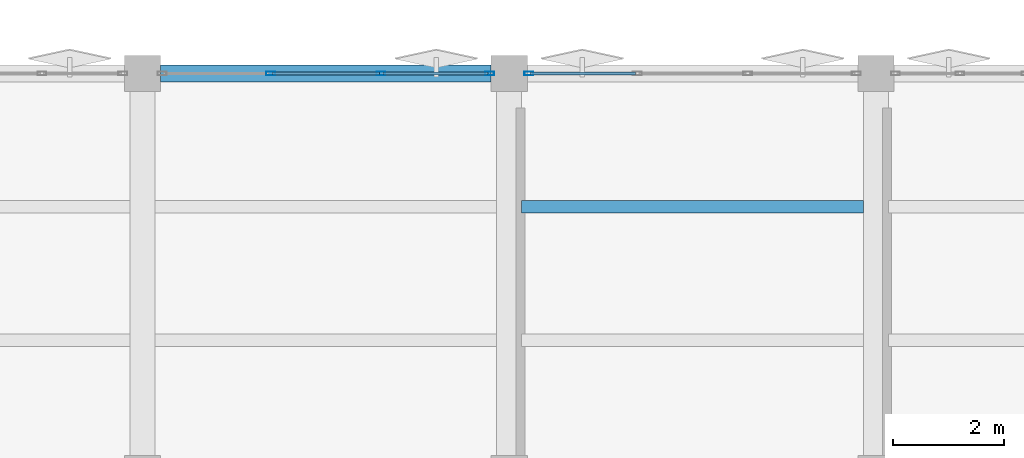
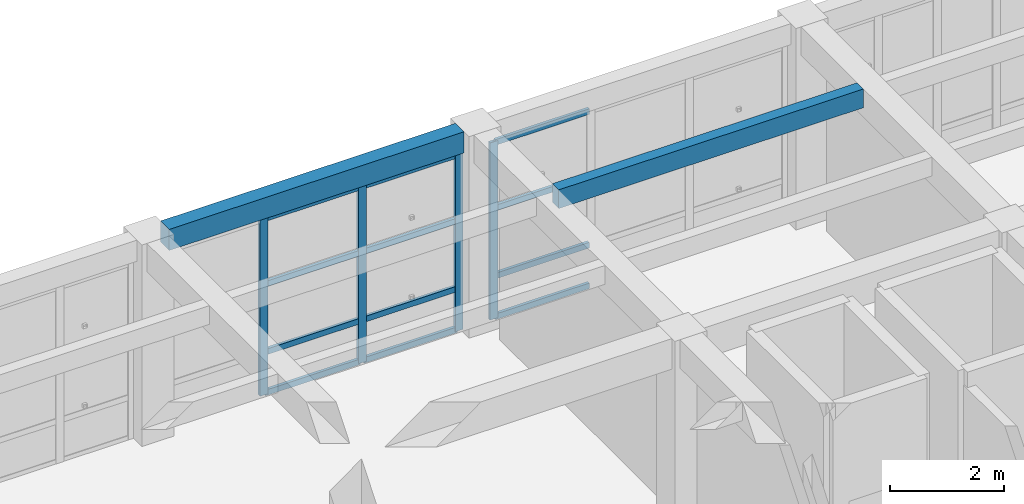
# One storey, part 15 of 39: 16 members, 2 beams, 2 elements without a shape of their own.
"""IFC4 building model written with IfcOpenShell, lengths in metres."""

from ifc_helpers import new_model, si_unit, direction, frame, origin, origin_2d, place, context, subcontext, project, spatial, rectangle, hollow_rectangle, extrude, material, layer, layer_set, material_profile, profile_set, type_object, element, aggregate, save


model = new_model("IFC4")

# Units and contexts
model_context = context("Model", 3, precision=1e-05, world=origin(), true_north=direction((0.0, 1.0)))
body_context = subcontext(model_context, "Body", "Model", "MODEL_VIEW")
ifc_project = project(units=[si_unit("LENGTHUNIT", "METRE"), si_unit("AREAUNIT", "SQUARE_METRE"), si_unit("VOLUMEUNIT", "CUBIC_METRE"), si_unit("PLANEANGLEUNIT", "RADIAN"), si_unit("MASSUNIT", "GRAM", prefix="KILO")], contexts=[model_context])

# Site, building, storey
site_placement = place(None, origin())
site = spatial("IfcSite", under=ifc_project, at=site_placement, CompositionType="ELEMENT")
building_placement = place(site_placement, origin())
building = spatial("IfcBuilding", under=site, at=building_placement, Name="Kharisveld Research Institute", CompositionType="ELEMENT")
storey_placement = place(building_placement, frame((0.0, 0.0, 18.60009765625)))
storey = spatial("IfcBuildingStorey", under=building, at=storey_placement, Name="L04", CompositionType="ELEMENT", Elevation=18.60009765625)

# Curtain wall, members
ifc_material_1 = material(Name="Thermally Broken Aluminium Curtain Wall", Category="aluminium")
ifc_layer_1 = layer(ifc_material_1, 0.159912109375)
ifc_layer_set_1 = layer_set([ifc_layer_1], Name="CW_SYS_05")
curtain_wall_type_1 = type_object("IfcCurtainWallType", Name="CW_SYS_05", PredefinedType="NOTDEFINED", material=ifc_layer_set_1)
curtain_wall_1_placement = place(storey_placement, origin())
curtain_wall_1 = element("IfcCurtainWall", 1, at=curtain_wall_1_placement, inside=storey, type_object=curtain_wall_type_1, Name="CW:V2:L04:N2", PredefinedType="NOTDEFINED")
ifc_material_2 = material(Name="Anodised Aluminium AW-6063-T6", Category="aluminium")
ifc_material_profile_1 = material_profile(ifc_material_2, hollow_rectangle(XDim=0.06494140625, YDim=0.159912109375, WallThickness=0.00390625, at=origin_2d()))
ifc_profile_set_1 = profile_set([ifc_material_profile_1], Name="Anodised Aluminium AW-6063-T6")
member_type_1 = type_object("IfcMemberType", Name="CW_MUL_160", PredefinedType="MULLION", material=ifc_profile_set_1)
member_1_placement = place(storey_placement, frame((130.106689453125, 60.800048828125, 0.0), z_axis=(0.0, 0.0, 1.0), x_axis=(0.0, 1.0, 0.0)))
member_1 = element("IfcMember", 2, at=member_1_placement, type_object=member_type_1, Name="CW-05 mullion 2", PredefinedType="MULLION", context=body_context, shape_type="SweptSolid", body=[
    extrude(hollow_rectangle(XDim=0.06494140625, YDim=0.159912109375, WallThickness=0.00390625, at=origin_2d()), origin(), (0.0, 0.0, 1.0), 3.77978515625),
])
member_2_placement = place(storey_placement, frame((132.09326171875, 60.800048828125, 0.0), z_axis=(0.0, 0.0, 1.0), x_axis=(0.0, 1.0, 0.0)))
member_2 = element("IfcMember", 3, at=member_2_placement, type_object=member_type_1, Name="CW-05 mullion 3", PredefinedType="MULLION", context=body_context, shape_type="SweptSolid", body=[
    extrude(hollow_rectangle(XDim=0.06494140625, YDim=0.159912109375, WallThickness=0.00390625, at=origin_2d()), origin(), (0.0, 0.0, 1.0), 3.77978515625),
])
member_3_placement = place(storey_placement, frame((134.047607421875, 60.800048828125, 0.0), z_axis=(0.0, 0.0, 1.0), x_axis=(0.0, 1.0, 0.0)))
member_3 = element("IfcMember", 4, at=member_3_placement, type_object=member_type_1, Name="CW-05 mullion 4", PredefinedType="MULLION", context=body_context, shape_type="SweptSolid", body=[
    extrude(hollow_rectangle(XDim=0.06494140625, YDim=0.159912109375, WallThickness=0.00390625, at=origin_2d()), origin(), (0.0, 0.0, 1.0), 3.77978515625),
])

# Curtain wall, member
ifc_material_3 = material(Name="Thermally Broken Aluminium Curtain Wall", Category="aluminium")
ifc_layer_2 = layer(ifc_material_3, 0.159912109375)
ifc_layer_set_2 = layer_set([ifc_layer_2], Name="CW_SYS_06")
curtain_wall_type_2 = type_object("IfcCurtainWallType", Name="CW_SYS_06", PredefinedType="NOTDEFINED", material=ifc_layer_set_2)
curtain_wall_2_placement = place(storey_placement, origin())
curtain_wall_2 = element("IfcCurtainWall", 5, at=curtain_wall_2_placement, inside=storey, type_object=curtain_wall_type_2, Name="CW:V2:L04:N3", PredefinedType="NOTDEFINED")
member_4_placement = place(storey_placement, frame((134.75244140625, 60.800048828125, 0.0), z_axis=(0.0, 0.0, 1.0), x_axis=(0.0, 1.0, 0.0)))
member_4 = element("IfcMember", 6, at=member_4_placement, type_object=member_type_1, Name="CW-06 mullion 1", PredefinedType="MULLION", context=body_context, shape_type="SweptSolid", body=[
    extrude(hollow_rectangle(XDim=0.06494140625, YDim=0.159912109375, WallThickness=0.00390625, at=origin_2d()), origin(), (0.0, 0.0, 1.0), 3.77978515625),
])

# Member
ifc_material_4 = material(Name="Anodised Aluminium AW-6063-T6", Category="aluminium")
ifc_material_profile_2 = material_profile(ifc_material_4, hollow_rectangle(XDim=0.06005859375, YDim=0.1201171875, WallThickness=0.00390625, at=origin_2d()))
ifc_profile_set_2 = profile_set([ifc_material_profile_2], Name="Anodised Aluminium AW-6063-T6")
member_type_2 = type_object("IfcMemberType", Name="CW_TRN_120", PredefinedType="USERDEFINED", material=ifc_profile_set_2)
member_5_placement = place(storey_placement, frame((130.13916015625, 60.800048828125, 0.02978515625), z_axis=(1.0, 0.0, 0.0), x_axis=(0.0, 1.0, 0.0)))
member_5 = element("IfcMember", 7, at=member_5_placement, type_object=member_type_2, Name="CW-05 transom 2.1", ObjectType="TRANSOM", PredefinedType="USERDEFINED", context=body_context, shape_type="SweptSolid", body=[
    extrude(hollow_rectangle(XDim=0.06005859375, YDim=0.1201171875, WallThickness=0.00390625, at=origin_2d()), origin(), (0.0, 0.0, 1.0), 1.921630859375),
])

member_6_placement = place(storey_placement, frame((130.13916015625, 60.800048828125, 0.89990234375), z_axis=(1.0, 0.0, 0.0), x_axis=(0.0, 1.0, 0.0)))
member_6 = element("IfcMember", 8, at=member_6_placement, type_object=member_type_2, Name="CW-05 transom 2.2", ObjectType="TRANSOM", PredefinedType="USERDEFINED", context=body_context, shape_type="SweptSolid", body=[
    extrude(hollow_rectangle(XDim=0.06005859375, YDim=0.1201171875, WallThickness=0.00390625, at=origin_2d()), origin(), (0.0, 0.0, 1.0), 1.921630859375),
])

member_7_placement = place(storey_placement, frame((130.13916015625, 60.800048828125, 2.349853515625), z_axis=(1.0, 0.0, 0.0), x_axis=(0.0, 1.0, 0.0)))
member_7 = element("IfcMember", 9, at=member_7_placement, type_object=member_type_2, Name="CW-05 transom 2.3", ObjectType="TRANSOM", PredefinedType="USERDEFINED", context=body_context, shape_type="SweptSolid", body=[
    extrude(hollow_rectangle(XDim=0.06005859375, YDim=0.1201171875, WallThickness=0.00390625, at=origin_2d()), origin(), (0.0, 0.0, 1.0), 1.921630859375),
])

member_8_placement = place(storey_placement, frame((130.13916015625, 60.800048828125, 3.75), z_axis=(1.0, 0.0, 0.0), x_axis=(0.0, 1.0, 0.0)))
member_8 = element("IfcMember", 10, at=member_8_placement, type_object=member_type_2, Name="CW-05 transom 2.4", ObjectType="TRANSOM", PredefinedType="USERDEFINED", context=body_context, shape_type="SweptSolid", body=[
    extrude(hollow_rectangle(XDim=0.06005859375, YDim=0.1201171875, WallThickness=0.00390625, at=origin_2d()), origin(), (0.0, 0.0, 1.0), 1.921630859375),
])

member_9_placement = place(storey_placement, frame((132.125732421875, 60.800048828125, 0.02978515625), z_axis=(1.0, 0.0, 0.0), x_axis=(0.0, 1.0, 0.0)))
member_9 = element("IfcMember", 11, at=member_9_placement, type_object=member_type_2, Name="CW-05 transom 3.1", ObjectType="TRANSOM", PredefinedType="USERDEFINED", context=body_context, shape_type="SweptSolid", body=[
    extrude(hollow_rectangle(XDim=0.06005859375, YDim=0.1201171875, WallThickness=0.00390625, at=origin_2d()), origin(), (0.0, 0.0, 1.0), 1.88916015625),
])

member_10_placement = place(storey_placement, frame((132.125732421875, 60.800048828125, 0.89990234375), z_axis=(1.0, 0.0, 0.0), x_axis=(0.0, 1.0, 0.0)))
member_10 = element("IfcMember", 12, at=member_10_placement, type_object=member_type_2, Name="CW-05 transom 3.2", ObjectType="TRANSOM", PredefinedType="USERDEFINED", context=body_context, shape_type="SweptSolid", body=[
    extrude(hollow_rectangle(XDim=0.06005859375, YDim=0.1201171875, WallThickness=0.00390625, at=origin_2d()), origin(), (0.0, 0.0, 1.0), 1.88916015625),
])

member_11_placement = place(storey_placement, frame((132.125732421875, 60.800048828125, 2.349853515625), z_axis=(1.0, 0.0, 0.0), x_axis=(0.0, 1.0, 0.0)))
member_11 = element("IfcMember", 13, at=member_11_placement, type_object=member_type_2, Name="CW-05 transom 3.3", ObjectType="TRANSOM", PredefinedType="USERDEFINED", context=body_context, shape_type="SweptSolid", body=[
    extrude(hollow_rectangle(XDim=0.06005859375, YDim=0.1201171875, WallThickness=0.00390625, at=origin_2d()), origin(), (0.0, 0.0, 1.0), 1.88916015625),
])

member_12_placement = place(storey_placement, frame((132.125732421875, 60.800048828125, 3.75), z_axis=(1.0, 0.0, 0.0), x_axis=(0.0, 1.0, 0.0)))
member_12 = element("IfcMember", 14, at=member_12_placement, type_object=member_type_2, Name="CW-05 transom 3.4", ObjectType="TRANSOM", PredefinedType="USERDEFINED", context=body_context, shape_type="SweptSolid", body=[
    extrude(hollow_rectangle(XDim=0.06005859375, YDim=0.1201171875, WallThickness=0.00390625, at=origin_2d()), origin(), (0.0, 0.0, 1.0), 1.88916015625),
])

aggregate(curtain_wall_1, [member_1, member_2, member_3, member_5, member_6, member_7, member_8, member_9, member_10, member_11, member_12])

member_13_placement = place(storey_placement, frame((134.784912109375, 60.800048828125, 0.02978515625), z_axis=(1.0, 0.0, 0.0), x_axis=(0.0, 1.0, 0.0)))
member_13 = element("IfcMember", 15, at=member_13_placement, type_object=member_type_2, Name="CW-06 transom 1.1", ObjectType="TRANSOM", PredefinedType="USERDEFINED", context=body_context, shape_type="SweptSolid", body=[
    extrude(hollow_rectangle(XDim=0.06005859375, YDim=0.1201171875, WallThickness=0.00390625, at=origin_2d()), origin(), (0.0, 0.0, 1.0), 1.88916015625),
])

member_14_placement = place(storey_placement, frame((134.784912109375, 60.800048828125, 0.89990234375), z_axis=(1.0, 0.0, 0.0), x_axis=(0.0, 1.0, 0.0)))
member_14 = element("IfcMember", 16, at=member_14_placement, type_object=member_type_2, Name="CW-06 transom 1.2", ObjectType="TRANSOM", PredefinedType="USERDEFINED", context=body_context, shape_type="SweptSolid", body=[
    extrude(hollow_rectangle(XDim=0.06005859375, YDim=0.1201171875, WallThickness=0.00390625, at=origin_2d()), origin(), (0.0, 0.0, 1.0), 1.88916015625),
])

member_15_placement = place(storey_placement, frame((134.784912109375, 60.800048828125, 2.349853515625), z_axis=(1.0, 0.0, 0.0), x_axis=(0.0, 1.0, 0.0)))
member_15 = element("IfcMember", 17, at=member_15_placement, type_object=member_type_2, Name="CW-06 transom 1.3", ObjectType="TRANSOM", PredefinedType="USERDEFINED", context=body_context, shape_type="SweptSolid", body=[
    extrude(hollow_rectangle(XDim=0.06005859375, YDim=0.1201171875, WallThickness=0.00390625, at=origin_2d()), origin(), (0.0, 0.0, 1.0), 1.88916015625),
])

member_16_placement = place(storey_placement, frame((134.784912109375, 60.800048828125, 3.75), z_axis=(1.0, 0.0, 0.0), x_axis=(0.0, 1.0, 0.0)))
member_16 = element("IfcMember", 18, at=member_16_placement, type_object=member_type_2, Name="CW-06 transom 1.4", ObjectType="TRANSOM", PredefinedType="USERDEFINED", context=body_context, shape_type="SweptSolid", body=[
    extrude(hollow_rectangle(XDim=0.06005859375, YDim=0.1201171875, WallThickness=0.00390625, at=origin_2d()), origin(), (0.0, 0.0, 1.0), 1.88916015625),
])

aggregate(curtain_wall_2, [member_4, member_13, member_14, member_15, member_16])

# Beams
ifc_material_5 = material(Name="Concrete C40/50", Category="concrete")
ifc_material_profile_3 = material_profile(ifc_material_5, rectangle(XDim=0.300048828125, YDim=0.449951171875, at=origin_2d()))
ifc_profile_set_3 = profile_set([ifc_material_profile_3], Name="Concrete C40/50")
beam_type_1 = type_object("IfcBeamType", Name="SP_RC_300x450", PredefinedType="SPANDREL", material=ifc_profile_set_3)
beam_1_placement = place(storey_placement, frame((128.125, 60.800048828125, 4.074951171875), z_axis=(1.0, 0.0, 0.0), x_axis=(0.0, 1.0, 0.0)))
element("IfcBeam", 19, at=beam_1_placement, inside=storey, type_object=beam_type_1, Name="BM:V2:L04:U2_3", PredefinedType="SPANDREL", context=body_context, shape_type="SweptSolid", body=[
    extrude(rectangle(XDim=0.300048828125, YDim=0.449951171875, at=origin_2d()), origin(), (0.0, 0.0, 1.0), 5.949951171875),
])
ifc_material_6 = material(Name="Concrete C40/50", Category="concrete")
ifc_material_profile_4 = material_profile(ifc_material_6, rectangle(XDim=0.219970703125, YDim=0.39990234375, at=origin_2d()))
ifc_profile_set_4 = profile_set([ifc_material_profile_4], Name="Concrete C40/50")
beam_type_2 = type_object("IfcBeamType", Name="WB_RC_220x400", PredefinedType="JOIST", material=ifc_profile_set_4)
beam_2_placement = place(storey_placement, frame((134.625, 58.39990234375, 4.099853515625), z_axis=(1.0, 0.0, 0.0), x_axis=(0.0, 1.0, 0.0)))
element("IfcBeam", 20, at=beam_2_placement, inside=storey, type_object=beam_type_2, Name="BM:V2:L04:J_3_2_R2", PredefinedType="JOIST", context=body_context, shape_type="SweptSolid", body=[
    extrude(rectangle(XDim=0.219970703125, YDim=0.39990234375, at=origin_2d()), origin(), (0.0, 0.0, 1.0), 6.14990234375),
])

save(model, "model.ifc")
